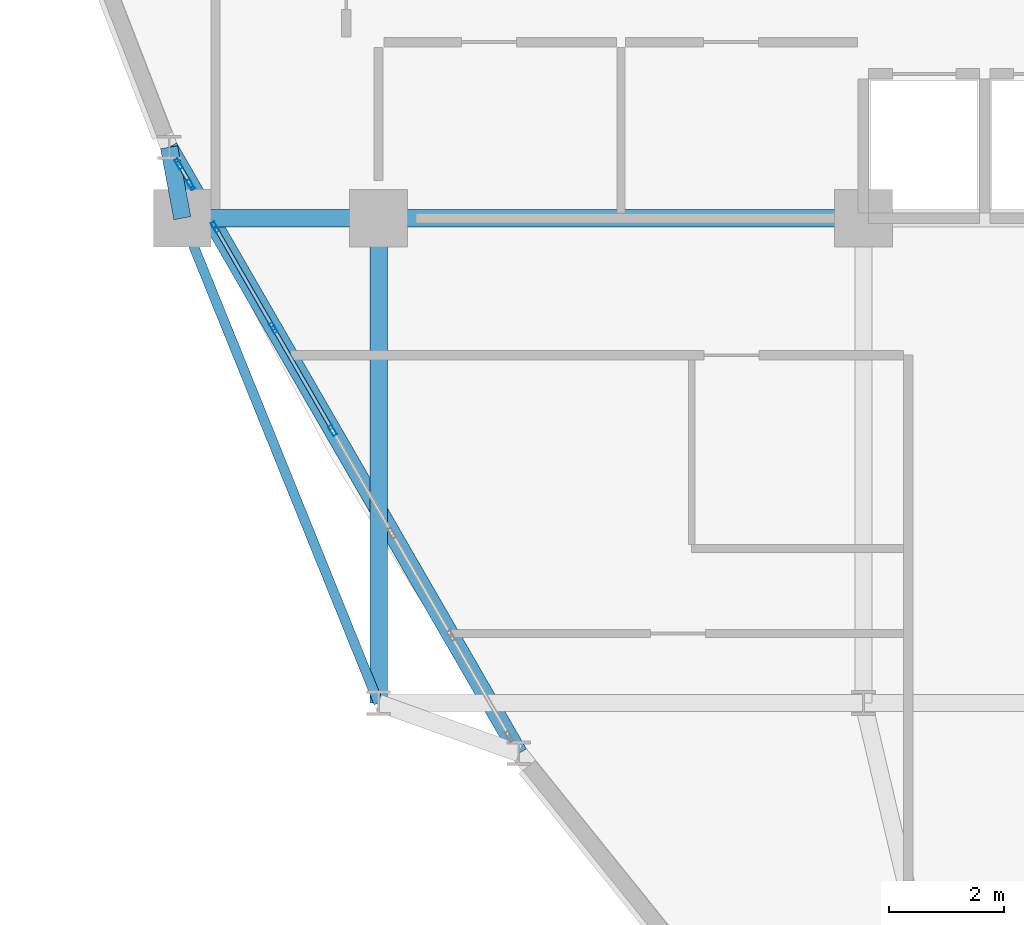
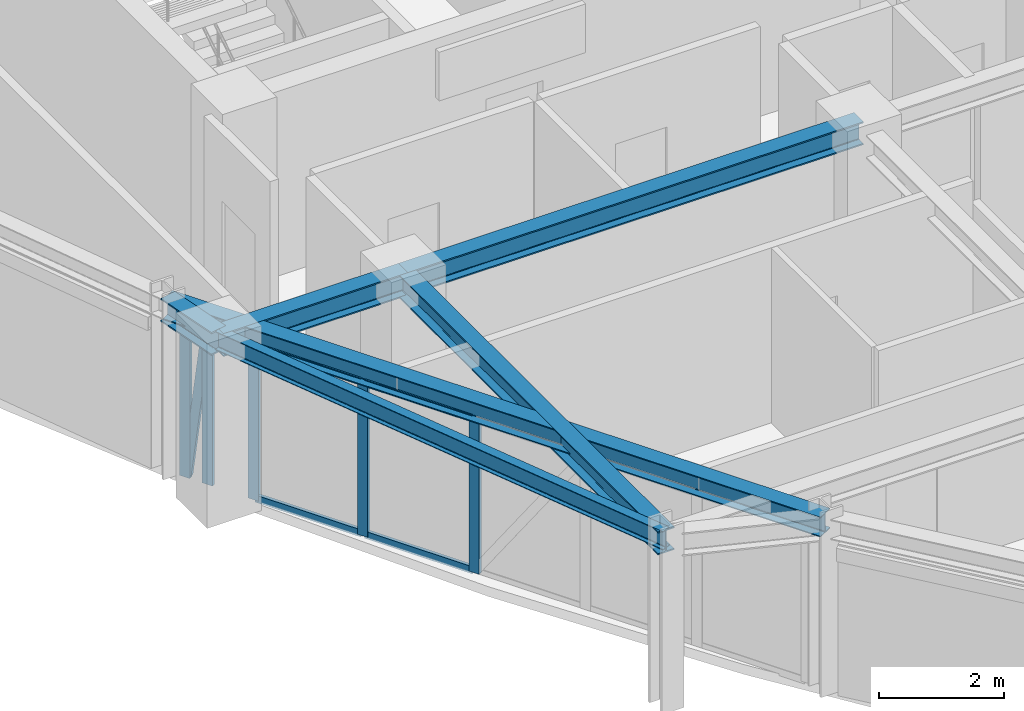
# One storey, part 5 of 16: 10 members, 6 beams, 2 elements without a shape of their own.
"""IFC4 building model written with IfcOpenShell, lengths in metres."""

import ifcopenshell
import ifcopenshell.guid

model = None  # the IFC model being written
_history = None  # IfcOwnerHistory: only IFC2X3 demands one
_inside = {}  # id of a spatial element -> (the spatial element, [elements in it])
_under = {}  # id of a project, library or spatial element -> (it, [spatial elements below it])
_declared = {}  # id of a project -> (the project, [libraries it declares])
_typed = {}  # id of a type object -> (the type object, [elements of that type])
_made_of = {}  # id of a material, layer set ... -> (it, [elements and type objects made of it])


def new_model(schema):
    """Start an empty IFC model of exactly this schema.

    Asked for "IFC4X3", IfcOpenShell would pick the latest addendum, in which some entities
    have other attributes; the version numbers below select the first issue.
    IFC2X3 requires an IfcOwnerHistory on every rooted entity: one is made here for all.
    """
    global model, _history
    if schema == "IFC4X3":
        model = ifcopenshell.file(schema_version=(4, 3, 0, 0))
    else:
        model = ifcopenshell.file(schema=schema)
    _inside.clear()
    _under.clear()
    _declared.clear()
    _typed.clear()
    _made_of.clear()
    _history = None
    if model.schema == "IFC2X3":
        org = make("IfcOrganization", Name="unknown")
        user = make(
            "IfcPersonAndOrganization",
            ThePerson=make("IfcPerson", FamilyName="unknown"),
            TheOrganization=org,
        )
        app = make(
            "IfcApplication",
            ApplicationDeveloper=org,
            Version="unknown",
            ApplicationFullName="unknown",
            ApplicationIdentifier="unknown",
        )
        _history = make(
            "IfcOwnerHistory",
            OwningUser=user,
            OwningApplication=app,
            ChangeAction="ADDED",
            CreationDate=0,
        )
    return model


def make(cls, **values):
    """One entity of the class cls with the attributes given. An attribute that is None is left unset."""
    return model.create_entity(
        cls, **{name: value for name, value in values.items() if value is not None}
    )


def rooted(cls, **values):
    """An entity with a GlobalId (a new one), such as an element, a storey or a relation."""
    return make(cls, GlobalId=ifcopenshell.guid.new(), OwnerHistory=_history, **values)


def si_unit(unit_type, name, prefix=None):
    """IfcSIUnit, for example si_unit("LENGTHUNIT", "METRE", prefix="MILLI")."""
    return make("IfcSIUnit", UnitType=unit_type, Prefix=prefix, Name=name)


def derived_unit(unit_type, elements):
    """IfcDerivedUnit: a product of units, each with its exponent."""
    return make(
        "IfcDerivedUnit",
        Elements=[
            make("IfcDerivedUnitElement", Unit=unit, Exponent=power)
            for unit, power in elements
        ],
        UnitType=unit_type,
    )


def assignment(units):
    """IfcUnitAssignment: the units of a project."""
    return None if units is None else make("IfcUnitAssignment", Units=units)


def point(xyz):
    """IfcCartesianPoint."""
    return None if xyz is None else make("IfcCartesianPoint", Coordinates=xyz)


def direction(xyz):
    """IfcDirection."""
    return None if xyz is None else make("IfcDirection", DirectionRatios=xyz)


def frame(location, z_axis=None, x_axis=None):
    """IfcAxis2Placement3D, a coordinate frame: its origin and axes. An axis left out is left unset."""
    return make(
        "IfcAxis2Placement3D",
        Location=point(location),
        Axis=direction(z_axis),
        RefDirection=direction(x_axis),
    )


def frame_2d(location, x_axis=None):
    """IfcAxis2Placement2D, a coordinate frame in the plane: its origin and x axis."""
    return make(
        "IfcAxis2Placement2D", Location=point(location), RefDirection=direction(x_axis)
    )


def origin():
    """The frame at (0, 0, 0) with its axes left unset."""
    return frame((0.0, 0.0, 0.0))


def origin_2d():
    """The frame at (0, 0) in the plane with its x axis left unset."""
    return frame_2d((0.0, 0.0))


def place(relative_to, where):
    """IfcLocalPlacement: puts the frame where relative to a parent placement (None: the world)."""
    return make(
        "IfcLocalPlacement", PlacementRelTo=relative_to, RelativePlacement=where
    )


def context(
    kind, dimensions, precision=None, world=None, true_north=None, identifier=None
):
    """IfcGeometricRepresentationContext, for example the 3D "Model" context."""
    return make(
        "IfcGeometricRepresentationContext",
        ContextIdentifier=identifier,
        ContextType=kind,
        CoordinateSpaceDimension=dimensions,
        Precision=precision,
        WorldCoordinateSystem=world,
        TrueNorth=true_north,
    )


def subcontext(parent, identifier, kind, view, scale=None):
    """IfcGeometricRepresentationSubContext, for example "Body" below "Model"."""
    return make(
        "IfcGeometricRepresentationSubContext",
        ContextIdentifier=identifier,
        ContextType=kind,
        ParentContext=parent,
        TargetScale=scale,
        TargetView=view,
    )


def project(units=None, contexts=None):
    """IfcProject with its units and contexts."""
    return rooted(
        "IfcProject",
        Name="project",
        RepresentationContexts=contexts,
        UnitsInContext=assignment(units),
    )


def spatial(cls, under=None, at=None, **own):
    """A site, building, storey or space (cls), placed at a placement, below another one or the project."""
    s = rooted(cls, ObjectPlacement=at, **own)
    if under is not None:
        _under.setdefault(under.id(), (under, []))[1].append(s)
    return s


def profile(cls, at=None, kind="AREA", **sizes):
    """A parametric profile (cls). Its sizes go by their IFC names, for example OverallWidth=200.0."""
    return make(cls, ProfileType=kind, Position=at, **sizes)


def hollow_rectangle(**sizes):
    """IfcRectangleHollowProfileDef."""
    return profile("IfcRectangleHollowProfileDef", **sizes)


def i_section(**sizes):
    """IfcIShapeProfileDef."""
    return profile("IfcIShapeProfileDef", **sizes)


def extrude(swept, where, along, depth):
    """IfcExtrudedAreaSolid: the profile swept, set in the frame where, extruded along a direction by depth."""
    return make(
        "IfcExtrudedAreaSolid",
        SweptArea=swept,
        Position=where,
        ExtrudedDirection=direction(along),
        Depth=depth,
    )


def shape(context_of_items, identifier, shape_type, items):
    """IfcShapeRepresentation: the items that make up one representation, for example the "Body"."""
    return make(
        "IfcShapeRepresentation",
        ContextOfItems=context_of_items,
        RepresentationIdentifier=identifier,
        RepresentationType=shape_type,
        Items=items,
    )


def source(mapping_origin, context_of_items, identifier, shape_type, items):
    """IfcRepresentationMap: a shape defined once, which mapped items show again and again."""
    return make(
        "IfcRepresentationMap",
        MappingOrigin=mapping_origin,
        MappedRepresentation=shape(context_of_items, identifier, shape_type, items),
    )


def transform(
    local_origin,
    x_axis=None,
    y_axis=None,
    z_axis=None,
    scale=None,
    scale2=None,
    scale3=None,
    uniform=True,
):
    """IfcCartesianTransformationOperator3D, or its non-uniform kind. x_axis, y_axis, z_axis: its Axis1, 2, 3."""
    if uniform:
        return make(
            "IfcCartesianTransformationOperator3D",
            Axis1=direction(x_axis),
            Axis2=direction(y_axis),
            LocalOrigin=point(local_origin),
            Scale=scale,
            Axis3=direction(z_axis),
        )
    return make(
        "IfcCartesianTransformationOperator3DnonUniform",
        Axis1=direction(x_axis),
        Axis2=direction(y_axis),
        LocalOrigin=point(local_origin),
        Scale=scale,
        Axis3=direction(z_axis),
        Scale2=scale2,
        Scale3=scale3,
    )


def mapped(mapping_source, mapping_target):
    """IfcMappedItem: shows the shape of a source again, moved by a transform."""
    return make(
        "IfcMappedItem", MappingSource=mapping_source, MappingTarget=mapping_target
    )


def material(Name=None, Category=None):
    """IfcMaterial."""
    return make("IfcMaterial", Name=Name, Category=Category)


def layer(
    of_material, thickness, ventilated=None, Name=None, Category=None, Priority=None
):
    """IfcMaterialLayer: one layer of a wall or slab, of a material (None: an air gap)."""
    return make(
        "IfcMaterialLayer",
        Material=of_material,
        LayerThickness=thickness,
        IsVentilated=ventilated,
        Name=Name,
        Category=Category,
        Priority=Priority,
    )


def layer_set(layers, Name=None):
    """IfcMaterialLayerSet."""
    return make("IfcMaterialLayerSet", MaterialLayers=layers, LayerSetName=Name)


def material_profile(
    of_material, cross_section, Name=None, Category=None, Priority=None
):
    """IfcMaterialProfile: a cross section and its material."""
    return make(
        "IfcMaterialProfile",
        Name=Name,
        Material=of_material,
        Profile=cross_section,
        Priority=Priority,
        Category=Category,
    )


def profile_set(profiles, Name=None, composite=None):
    """IfcMaterialProfileSet."""
    return make(
        "IfcMaterialProfileSet",
        Name=Name,
        MaterialProfiles=profiles,
        CompositeProfile=composite,
    )


def made_of(thing, what):
    """Note that an element or type object is made of a material, layer set ...; save() writes the relation."""
    if what is not None:
        _made_of.setdefault(what.id(), (what, []))[1].append(thing)
    return thing


def type_object(cls, material=None, **own):
    """A type object (cls), such as IfcWallType, which elements share."""
    return made_of(rooted(cls, **own), material)


def element(
    cls,
    number,
    at=None,
    inside=None,
    cuts=None,
    type_object=None,
    material=None,
    context=None,
    identifier="Body",
    shape_type=None,
    held_by="IfcProductDefinitionShape",
    body=None,
    shapes=None,
    **own,
):
    """One element of the class cls, such as IfcWall. Its Tag is "e" and its number.

    at: its placement. inside: the storey or other place that contains it. cuts: it is an
    opening in that element (IfcRelVoidsElement). A single representation is given by context,
    identifier, shape_type and body (its items); several are given by shapes. held_by: the class
    of the entity that holds the representations. save() writes the other relations.
    """
    e = rooted(cls, Tag="e%d" % number, ObjectPlacement=at, **own)
    if body is not None:
        shapes = [shape(context, identifier, shape_type, body)]
    if shapes is not None:
        e.Representation = make(held_by, Representations=shapes)
    if inside is not None:
        _inside.setdefault(inside.id(), (inside, []))[1].append(e)
    if cuts is not None:
        rooted(
            "IfcRelVoidsElement", RelatingBuildingElement=cuts, RelatedOpeningElement=e
        )
    if type_object is not None:
        _typed.setdefault(type_object.id(), (type_object, []))[1].append(e)
    return made_of(e, material)


def aggregate(whole, parts):
    """IfcRelAggregates: a whole, such as a stair, and the parts it consists of."""
    return rooted("IfcRelAggregates", RelatingObject=whole, RelatedObjects=parts)


def save(model, path):
    """Write the relations noted so far, then the file.

    IfcRelAggregates (storeys below a building ...), IfcRelContainedInSpatialStructure (elements
    in a storey), IfcRelDefinesByType, IfcRelAssociatesMaterial and IfcRelDeclares: one each for
    every whole, place, type object, material and project.
    """
    for whole, parts in _under.values():
        aggregate(whole, parts)
    for where, things in _inside.values():
        rooted(
            "IfcRelContainedInSpatialStructure",
            RelatedElements=things,
            RelatingStructure=where,
        )
    for kind, things in _typed.values():
        rooted("IfcRelDefinesByType", RelatedObjects=things, RelatingType=kind)
    for what, things in _made_of.values():
        rooted("IfcRelAssociatesMaterial", RelatedObjects=things, RelatingMaterial=what)
    for by, libraries in _declared.values():
        rooted("IfcRelDeclares", RelatingContext=by, RelatedDefinitions=libraries)
    model.write(path)


model = new_model("IFC4")

# Units and contexts
model_context = context("Model", 3, precision=1e-05, world=origin(), true_north=direction((0.0, 1.0)))
body_context = subcontext(model_context, "Body", "Model", "MODEL_VIEW")
ifc_project = project(units=[si_unit("LENGTHUNIT", "METRE"), si_unit("AREAUNIT", "SQUARE_METRE"), si_unit("VOLUMEUNIT", "CUBIC_METRE"), si_unit("PLANEANGLEUNIT", "RADIAN"), si_unit("MASSUNIT", "GRAM", prefix="KILO"), derived_unit("THERMALTRANSMITTANCEUNIT", [(si_unit("POWERUNIT", "WATT"), 1), (si_unit("LENGTHUNIT", "METRE"), -2), (si_unit("THERMODYNAMICTEMPERATUREUNIT", "KELVIN"), -1)])], contexts=[model_context])

# Site, building, storey
site_placement = place(None, origin())
site = spatial("IfcSite", under=ifc_project, at=site_placement, CompositionType="ELEMENT")
building_placement = place(site_placement, origin())
building = spatial("IfcBuilding", under=site, at=building_placement, Name="Korsvarv Bourse and Concert Hall", CompositionType="ELEMENT")
storey_placement = place(building_placement, frame((0.0, 0.0, 231.0)))
storey = spatial("IfcBuildingStorey", under=building, at=storey_placement, Name="L60", CompositionType="ELEMENT", Elevation=231.0)

# Beams
ifc_material_1 = material(Name="Steel S355", Category="steel")
ifc_material_profile_1 = material_profile(ifc_material_1, i_section(OverallWidth=0.169921875, OverallDepth=0.360107421875, WebThickness=0.008056640625, FlangeThickness=0.0126953125, FilletRadius=0.01806640625, at=origin_2d()), Name="IPE 360")
ifc_profile_set_1 = profile_set([ifc_material_profile_1], Name="Steel S355")
beam_type_1 = type_object("IfcBeamType", Name="BM-IPE360", PredefinedType="JOIST", material=ifc_profile_set_1)
shared_shape_1 = source(origin(), body_context, "Body", "SweptSolid", [
    extrude(i_section(OverallWidth=0.169921875, OverallDepth=0.360107421875, WebThickness=0.008056640625, FlangeThickness=0.0126953125, FilletRadius=0.01806640625, at=origin_2d()), origin(), (0.0, 0.0, 1.0), 9.06201171875),
])
beam_1_placement = place(storey_placement, frame((24.199951171875, 32.39990234375, 3.22998046875), z_axis=(0.375210394783, -0.926939674222, 0.0), x_axis=(0.926939674222, 0.375210394783, 0.0)))
element("IfcBeam", 1, at=beam_1_placement, inside=storey, type_object=beam_type_1, Name="L60 beam J-06", PredefinedType="JOIST", context=body_context, shape_type="MappedRepresentation", body=[
    mapped(shared_shape_1, transform((0.0, 0.0, 0.0), scale=1.0)),
])
ifc_material_profile_2 = material_profile(ifc_material_1, i_section(OverallWidth=0.300048828125, OverallDepth=0.449951171875, WebThickness=0.013916015625, FlangeThickness=0.02587890625, FilletRadius=0.02099609375, at=origin_2d()), Name="HEB 450")
ifc_profile_set_2 = profile_set([ifc_material_profile_2], Name="Steel S355")
beam_type_2 = type_object("IfcBeamType", Name="BM-HEB450", PredefinedType="SPANDREL", material=ifc_profile_set_2)
shared_shape_2 = source(origin(), body_context, "Body", "SweptSolid", [
    extrude(i_section(OverallWidth=0.300048828125, OverallDepth=0.449951171875, WebThickness=0.013916015625, FlangeThickness=0.02587890625, FilletRadius=0.02099609375, at=origin_2d()), origin(), (0.0, 0.0, 1.0), 3.400146484375),
])
beam_2_placement = place(storey_placement, frame((24.199951171875, 32.39990234375, 3.18505859375), z_axis=(1.0, 0.0, 0.0), x_axis=(0.0, 1.0, 0.0)))
element("IfcBeam", 2, at=beam_2_placement, inside=storey, type_object=beam_type_2, Name="L60 beam B-08", PredefinedType="SPANDREL", context=body_context, shape_type="MappedRepresentation", body=[
    mapped(shared_shape_2, transform((0.0, 0.0, 0.0), scale=1.0)),
])
shared_shape_3 = source(origin(), body_context, "Body", "SweptSolid", [
    extrude(i_section(OverallWidth=0.300048828125, OverallDepth=0.449951171875, WebThickness=0.013916015625, FlangeThickness=0.02587890625, FilletRadius=0.02099609375, at=origin_2d()), origin(), (0.0, 0.0, 1.0), 8.39990234375),
])
for number, where, z_axis, x_axis, name in (
    (3, (27.60009765625, 32.39990234375, 3.18505859375), (1.0, 0.0, 0.0), (0.0, 1.0, 0.0), "L60 beam B-08"),
    (4, (27.60009765625, 24.0, 3.18505859375), (0.0, 1.0, 0.0), (-1.0, 0.0, 0.0), "L60 beam B-08"),
):
    element("IfcBeam", number, at=place(storey_placement, frame(where, z_axis=z_axis, x_axis=x_axis)), inside=storey, type_object=beam_type_2, Name=name, PredefinedType="SPANDREL", context=body_context, shape_type="MappedRepresentation", body=[
        mapped(shared_shape_3, transform((0.0, 0.0, 0.0), scale=1.0)),
    ])
ifc_material_profile_3 = material_profile(ifc_material_1, i_section(OverallWidth=0.300048828125, OverallDepth=0.389892578125, WebThickness=0.010986328125, FlangeThickness=0.01904296875, FilletRadius=0.02099609375, at=origin_2d()), Name="HEA 400")
ifc_profile_set_3 = profile_set([ifc_material_profile_3], Name="Steel S355")
beam_type_3 = type_object("IfcBeamType", Name="BM-HEA400", PredefinedType="BEAM", material=ifc_profile_set_3)
shared_shape_4 = source(origin(), body_context, "Body", "SweptSolid", [
    extrude(i_section(OverallWidth=0.300048828125, OverallDepth=0.389892578125, WebThickness=0.010986328125, FlangeThickness=0.01904296875, FilletRadius=0.02099609375, at=origin_2d()), origin(), (0.0, 0.0, 1.0), 12.12353515625),
])
beam_3_placement = place(storey_placement, frame((23.969970703125, 33.629150390625, 3.215087890625), z_axis=(0.500000780442, -0.866024953196, 0.0), x_axis=(0.866024953196, 0.500000780442, 0.0)))
element("IfcBeam", 5, at=beam_3_placement, inside=storey, type_object=beam_type_3, Name="L60 beam B-11", PredefinedType="BEAM", context=body_context, shape_type="MappedRepresentation", body=[
    mapped(shared_shape_4, transform((0.0, 0.0, 0.0), scale=1.0)),
])
shared_shape_5 = source(origin(), body_context, "Body", "SweptSolid", [
    extrude(i_section(OverallWidth=0.300048828125, OverallDepth=0.449951171875, WebThickness=0.013916015625, FlangeThickness=0.02587890625, FilletRadius=0.02099609375, at=origin_2d()), origin(), (0.0, 0.0, 1.0), 1.25048828125),
])
beam_4_placement = place(storey_placement, frame((23.969970703125, 33.629150390625, 3.18505859375), z_axis=(0.183899549093, -0.982945042128, 0.0), x_axis=(0.982945042128, 0.183899549093, 0.0)))
element("IfcBeam", 6, at=beam_4_placement, inside=storey, type_object=beam_type_2, Name="L60 beam B-08", PredefinedType="SPANDREL", context=body_context, shape_type="MappedRepresentation", body=[
    mapped(shared_shape_5, transform((0.0, 0.0, 0.0), scale=1.0)),
])

# Curtain wall, members
ifc_material_2 = material(Name="Anodised aluminium and triple low-E glazing", Category="glass")
ifc_layer = layer(ifc_material_2, 0.199951171875)
ifc_layer_set = layer_set([ifc_layer], Name="Anodised aluminium and triple low-E glazing")
curtain_wall_type = type_object("IfcCurtainWallType", Name="CW-SYS-3", PredefinedType="NOTDEFINED", material=ifc_layer_set)
curtain_wall_1_placement = place(storey_placement, origin())
curtain_wall_1 = element("IfcCurtainWall", 7, at=curtain_wall_1_placement, inside=storey, type_object=curtain_wall_type, Name="L60 CW3 curtain wall CW-L60-F07-2", PredefinedType="NOTDEFINED")
ifc_material_3 = material(Name="Extruded aluminium EN AW-6063 T66", Category="aluminium")
ifc_material_profile_4 = material_profile(ifc_material_3, hollow_rectangle(XDim=0.070068359375, YDim=0.18994140625, WallThickness=0.0048828125, at=origin_2d()), Name="ALU-M 70x190")
ifc_profile_set_4 = profile_set([ifc_material_profile_4], Name="Extruded aluminium EN AW-6063 T66")
member_type_1 = type_object("IfcMemberType", Name="CWM-190", PredefinedType="MULLION", material=ifc_profile_set_4)
shared_shape_6 = source(origin(), body_context, "Body", "SweptSolid", [
    extrude(hollow_rectangle(XDim=0.070068359375, YDim=0.18994140625, WallThickness=0.0048828125, at=origin_2d()), origin(), (0.0, 0.0, 1.0), 3.02001953125),
])
member_1_placement = place(storey_placement, frame((24.767578125, 32.24755859375, 0.0), z_axis=(0.0, 0.0, 1.0), x_axis=(0.866025472463, 0.499999881045, 0.0)))
member_1 = element("IfcMember", 8, at=member_1_placement, type_object=member_type_1, Name="CW3 mullion 1", PredefinedType="MULLION", context=body_context, shape_type="MappedRepresentation", body=[
    mapped(shared_shape_6, transform((0.0, 0.0, 0.0), scale=1.0)),
])
member_2_placement = place(storey_placement, frame((25.776611328125, 30.5, 0.0), z_axis=(0.0, 0.0, 1.0), x_axis=(0.866025472463, 0.499999881045, 0.0)))
member_2 = element("IfcMember", 9, at=member_2_placement, type_object=member_type_1, Name="CW3 mullion 2", PredefinedType="MULLION", context=body_context, shape_type="MappedRepresentation", body=[
    mapped(shared_shape_6, transform((0.0, 0.0, 0.0), scale=1.0)),
])
member_3_placement = place(storey_placement, frame((26.802978515625, 28.721923828125, 0.0), z_axis=(0.0, 0.0, 1.0), x_axis=(0.866025472463, 0.499999881045, 0.0)))
member_3 = element("IfcMember", 10, at=member_3_placement, type_object=member_type_1, Name="CW3 mullion 3", PredefinedType="MULLION", context=body_context, shape_type="MappedRepresentation", body=[
    mapped(shared_shape_6, transform((0.0, 0.0, 0.0), scale=1.0)),
])

curtain_wall_2_placement = place(storey_placement, origin())
curtain_wall_2 = element("IfcCurtainWall", 11, at=curtain_wall_2_placement, inside=storey, type_object=curtain_wall_type, Name="L60 CW3 curtain wall CW-L60-F07-1", PredefinedType="NOTDEFINED")
shared_shape_7 = source(origin(), body_context, "Body", "SweptSolid", [
    extrude(hollow_rectangle(XDim=0.070068359375, YDim=0.18994140625, WallThickness=0.0048828125, at=origin_2d()), origin(), (0.0, 0.0, 1.0), 2.9599609375),
])
member_4_placement = place(storey_placement, frame((24.136474609375, 33.3408203125, 0.0), z_axis=(0.0, 0.0, 1.0), x_axis=(0.866045171745, 0.499965759325, 0.0)))
member_4 = element("IfcMember", 12, at=member_4_placement, type_object=member_type_1, Name="CW3 mullion 1", PredefinedType="MULLION", context=body_context, shape_type="MappedRepresentation", body=[
    mapped(shared_shape_7, transform((0.0, 0.0, 0.0), scale=1.0)),
])
member_5_placement = place(storey_placement, frame((24.344482421875, 32.980224609375, 0.0), z_axis=(0.0, 0.0, 1.0), x_axis=(0.866045171745, 0.499965759325, 0.0)))
member_5 = element("IfcMember", 13, at=member_5_placement, type_object=member_type_1, Name="CW3 mullion 2", PredefinedType="MULLION", context=body_context, shape_type="MappedRepresentation", body=[
    mapped(shared_shape_7, transform((0.0, 0.0, 0.0), scale=1.0)),
])

# Member
ifc_material_profile_5 = material_profile(ifc_material_3, hollow_rectangle(XDim=0.06494140625, YDim=0.139892578125, WallThickness=0.00390625, at=origin_2d()), Name="ALU-T 65x140")
ifc_profile_set_5 = profile_set([ifc_material_profile_5], Name="Extruded aluminium EN AW-6063 T66")
member_type_2 = type_object("IfcMemberType", Name="CWT-140", PredefinedType="USERDEFINED", material=ifc_profile_set_5)
shared_shape_8 = source(origin(), body_context, "Body", "SweptSolid", [
    extrude(hollow_rectangle(XDim=0.06494140625, YDim=0.139892578125, WallThickness=0.00390625, at=origin_2d()), origin(), (0.0, 0.0, 1.0), 1.947998046875),
])
member_6_placement = place(storey_placement, frame((24.784912109375, 32.21728515625, 0.032470703125), z_axis=(0.500047902311, -0.865997745606, 0.0), x_axis=(0.865997745606, 0.500047902311, 0.0)))
member_6 = element("IfcMember", 14, at=member_6_placement, type_object=member_type_2, Name="CW3 transom 1.1", ObjectType="TRANSOM", PredefinedType="USERDEFINED", context=body_context, shape_type="MappedRepresentation", body=[
    mapped(shared_shape_8, transform((0.0, 0.0, 0.0), scale=1.0)),
])

member_7_placement = place(storey_placement, frame((24.784912109375, 32.21728515625, 2.987548828125), z_axis=(0.500047902311, -0.865997745606, 0.0), x_axis=(0.865997745606, 0.500047902311, 0.0)))
member_7 = element("IfcMember", 15, at=member_7_placement, type_object=member_type_2, Name="CW3 transom 1.2", ObjectType="TRANSOM", PredefinedType="USERDEFINED", context=body_context, shape_type="MappedRepresentation", body=[
    mapped(shared_shape_8, transform((0.0, 0.0, 0.0), scale=1.0)),
])

shared_shape_9 = source(origin(), body_context, "Body", "SweptSolid", [
    extrude(hollow_rectangle(XDim=0.06494140625, YDim=0.139892578125, WallThickness=0.00390625, at=origin_2d()), origin(), (0.0, 0.0, 1.0), 1.983154296875),
])
member_8_placement = place(storey_placement, frame((25.7939453125, 30.469482421875, 0.032470703125), z_axis=(0.500084779935, -0.865976450533, 0.0), x_axis=(0.865976450533, 0.500084779935, 0.0)))
member_8 = element("IfcMember", 16, at=member_8_placement, type_object=member_type_2, Name="CW3 transom 2.1", ObjectType="TRANSOM", PredefinedType="USERDEFINED", context=body_context, shape_type="MappedRepresentation", body=[
    mapped(shared_shape_9, transform((0.0, 0.0, 0.0), scale=1.0)),
])

member_9_placement = place(storey_placement, frame((25.7939453125, 30.469482421875, 2.987548828125), z_axis=(0.500084779935, -0.865976450533, 0.0), x_axis=(0.865976450533, 0.500084779935, 0.0)))
member_9 = element("IfcMember", 17, at=member_9_placement, type_object=member_type_2, Name="CW3 transom 2.2", ObjectType="TRANSOM", PredefinedType="USERDEFINED", context=body_context, shape_type="MappedRepresentation", body=[
    mapped(shared_shape_9, transform((0.0, 0.0, 0.0), scale=1.0)),
])

aggregate(curtain_wall_1, [member_1, member_2, member_3, member_6, member_7, member_8, member_9])

ifc_material_profile_6 = material_profile(ifc_material_3, hollow_rectangle(XDim=0.06494140625, YDim=0.1650390625, WallThickness=0.0048828125, at=origin_2d()), Name="ALU-M 65x165")
ifc_profile_set_6 = profile_set([ifc_material_profile_6], Name="Extruded aluminium EN AW-6063 T66")
member_type_3 = type_object("IfcMemberType", Name="CWM-165", PredefinedType="MULLION", material=ifc_profile_set_6)
shared_shape_10 = source(origin(), body_context, "Body", "SweptSolid", [
    extrude(hollow_rectangle(XDim=0.06494140625, YDim=0.1650390625, WallThickness=0.0048828125, at=origin_2d()), origin(), (0.0, 0.0, 1.0), 2.85107421875),
])
member_10_placement = place(storey_placement, frame((24.15380859375, 33.310546875, 0.06494140625), z_axis=(0.060710348484, -0.105151351111, 0.992601353488), x_axis=(0.866021168401, 0.500007335828, 0.0)))
member_10 = element("IfcMember", 18, at=member_10_placement, type_object=member_type_3, Name="CW3 diagonal mullion 1", PredefinedType="MULLION", context=body_context, shape_type="MappedRepresentation", body=[
    mapped(shared_shape_10, transform((0.0, 0.0, 0.0), scale=1.0)),
])

aggregate(curtain_wall_2, [member_4, member_5, member_10])

save(model, "model.ifc")
